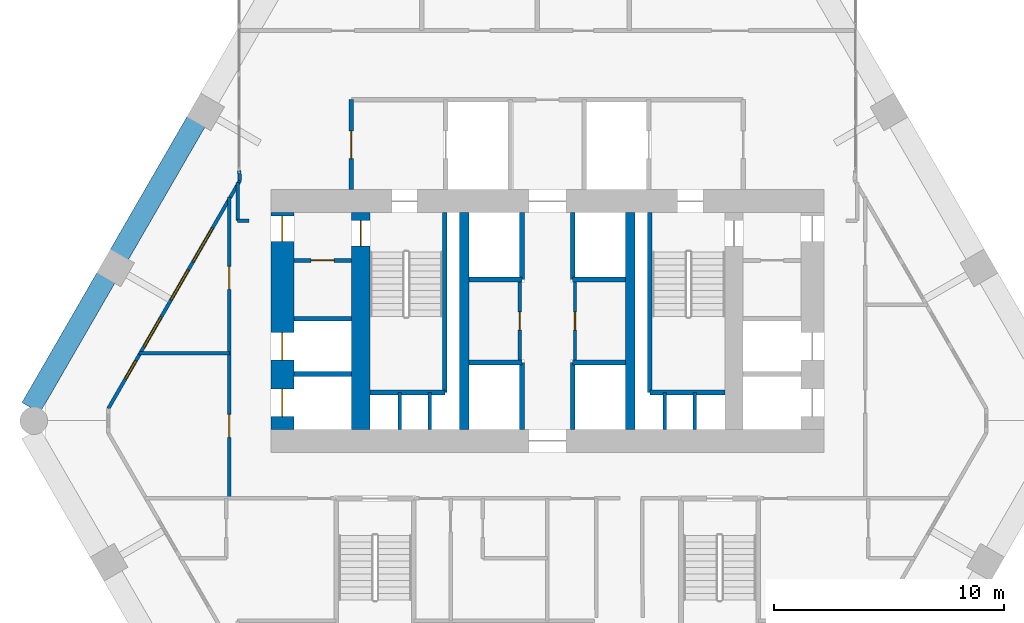
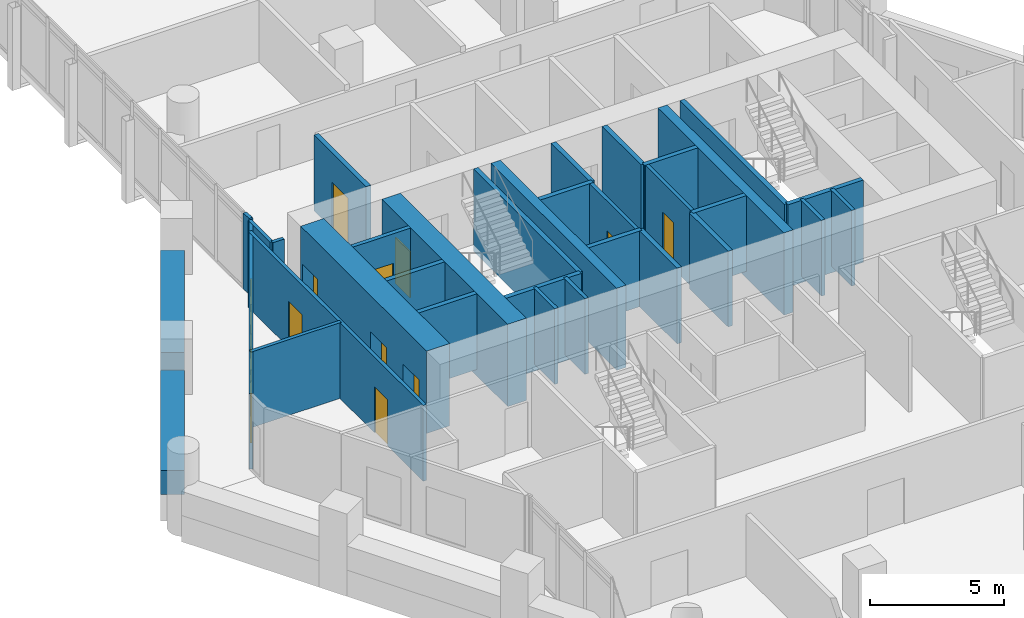
# One storey, part 25 of 28: 34 walls, 10 doors, 4 windows, 14 openings.
"""IFC4 building model written with IfcOpenShell, lengths in metres."""

from ifc_helpers import new_model, si_unit, direction, frame, frame_2d, origin, place, context, subcontext, project, spatial, rectangle, extrude, material, layer, layer_set, type_object, element, fill, save


model = new_model("IFC4")

# Units and contexts
model_context = context("Model", 3, precision=1e-05, world=origin(), true_north=direction((0.0, 1.0)))
body_context = subcontext(model_context, "Body", "Model", "MODEL_VIEW")
ifc_project = project(units=[si_unit("LENGTHUNIT", "METRE"), si_unit("AREAUNIT", "SQUARE_METRE"), si_unit("VOLUMEUNIT", "CUBIC_METRE"), si_unit("PLANEANGLEUNIT", "RADIAN"), si_unit("MASSUNIT", "GRAM", prefix="KILO")], contexts=[model_context])

# Site, building, storey
site_placement = place(None, origin())
site = spatial("IfcSite", under=ifc_project, at=site_placement, CompositionType="ELEMENT")
building_placement = place(site_placement, origin())
building = spatial("IfcBuilding", under=site, at=building_placement, Name="Ostrander Bayou Hotel Tower", CompositionType="ELEMENT")
storey_placement = place(building_placement, frame((0.0, 0.0, 100.5)))
storey = spatial("IfcBuildingStorey", under=building, at=storey_placement, Name="L25", CompositionType="ELEMENT", Elevation=100.5)

# Wall, openings, doors
ifc_material_1 = material(Name="Concrete f'c 70 MPa", Category="concrete")
ifc_layer_1 = layer(ifc_material_1, 1.0)
ifc_layer_set_1 = layer_set([ifc_layer_1], Name="CW4 core wall 1000 mm f'c 70 MPa")
wall_type_1 = type_object("IfcWallType", Name="CW4 core wall 1000 mm f'c 70 MPa", PredefinedType="SHEAR", material=ifc_layer_set_1)
wall_1_placement = place(storey_placement, frame((-11.5, -0.699951171875, -0.300048828125), z_axis=(0.0, 0.0, 1.0), x_axis=(0.0, 1.0, 0.0)))
wall_1 = element("IfcWall", 1, at=wall_1_placement, inside=storey, type_object=wall_type_1, Name="CW4 L25 RW", PredefinedType="SHEAR", context=body_context, shape_type="SweptSolid", body=[
    extrude(rectangle(XDim=9.39990234375, YDim=1.0, at=frame_2d((4.699951171875, 0.0))), origin(), (0.0, 0.0, 1.0), 3.75),
])
opening_1_placement = place(wall_1_placement, frame((8.14990234375, 0.0, 0.0)))
opening_1 = element("IfcOpeningElement", 2, at=opening_1_placement, cuts=wall_1, Name="Opening T25-017", PredefinedType="OPENING", context=body_context, shape_type="SweptSolid", body=[
    extrude(rectangle(XDim=1.10009765625, YDim=2.10009765625, at=frame_2d((0.550048828125, 1.050048828125))), frame((0.0, 0.5, 0.0), z_axis=(0.0, -1.0, 0.0), x_axis=(1.0, 0.0, 0.0)), (0.0, 0.0, 1.0), 1.0),
])
opening_2_placement = place(wall_1_placement, frame((0.550048828125, 0.0, 0.0)))
opening_2 = element("IfcOpeningElement", 3, at=opening_2_placement, cuts=wall_1, Name="Opening T25-018", PredefinedType="OPENING", context=body_context, shape_type="SweptSolid", body=[
    extrude(rectangle(XDim=1.199951171875, YDim=2.10009765625, at=frame_2d((0.60009765625, 1.050048828125))), frame((0.0, 0.5, 0.0), z_axis=(0.0, -1.0, 0.0), x_axis=(1.0, 0.0, 0.0)), (0.0, 0.0, 1.0), 1.0),
])
opening_3_placement = place(wall_1_placement, frame((3.0, 0.0, 0.0)))
opening_3 = element("IfcOpeningElement", 4, at=opening_3_placement, cuts=wall_1, Name="Opening T25-019", PredefinedType="OPENING", context=body_context, shape_type="SweptSolid", body=[
    extrude(rectangle(XDim=1.199951171875, YDim=2.10009765625, at=frame_2d((0.60009765625, 1.050048828125))), frame((0.0, 0.5, 0.0), z_axis=(0.0, -1.0, 0.0), x_axis=(1.0, 0.0, 0.0)), (0.0, 0.0, 1.0), 1.0),
])
ifc_material_2 = material(Name="Timber door leaf", Category="wood")
door_type_1 = type_object("IfcDoorType", Name="D5 stair door 1100 x 2100 mm, 90 minute", OperationType="SINGLE_SWING_LEFT", PredefinedType="DOOR", material=ifc_material_2)
door_1_placement = place(opening_1_placement, origin())
door_1 = element("IfcDoor", 5, at=door_1_placement, inside=storey, type_object=door_type_1, Name="dr:L25:017", OperationType="SINGLE_SWING_LEFT", OverallHeight=2.10009765625, OverallWidth=1.10009765625, PredefinedType="DOOR", context=body_context, shape_type="SweptSolid", body=[
    extrude(rectangle(XDim=1.10009765625, YDim=2.10009765625, at=frame_2d((0.550048828125, 1.050048828125))), frame((0.0, 0.02490234375, 0.0), z_axis=(0.0, -1.0, 0.0), x_axis=(1.0, 0.0, 0.0)), (0.0, 0.0, 1.0), 0.050048828125),
])
fill(opening_1, door_1)
ifc_material_3 = material(Name="Stainless steel sliding door", Category="steel")
door_type_2 = type_object("IfcDoorType", Name="LD1 lift landing door 1200 x 2100 mm", OperationType="SINGLE_SWING_LEFT", PredefinedType="DOOR", material=ifc_material_3)
door_2_placement = place(opening_2_placement, origin())
door_2 = element("IfcDoor", 6, at=door_2_placement, inside=storey, type_object=door_type_2, Name="dr:L25:018", OperationType="SLIDING_TO_LEFT", OverallHeight=2.10009765625, OverallWidth=1.199951171875, PredefinedType="DOOR", context=body_context, shape_type="SweptSolid", body=[
    extrude(rectangle(XDim=1.199951171875, YDim=2.10009765625, at=frame_2d((0.60009765625, 1.050048828125))), frame((0.0, 0.02490234375, 0.0), z_axis=(0.0, -1.0, 0.0), x_axis=(1.0, 0.0, 0.0)), (0.0, 0.0, 1.0), 0.050048828125),
])
fill(opening_2, door_2)
door_3_placement = place(opening_3_placement, origin())
door_3 = element("IfcDoor", 7, at=door_3_placement, inside=storey, type_object=door_type_2, Name="dr:L25:019", OperationType="SLIDING_TO_LEFT", OverallHeight=2.10009765625, OverallWidth=1.199951171875, PredefinedType="DOOR", context=body_context, shape_type="SweptSolid", body=[
    extrude(rectangle(XDim=1.199951171875, YDim=2.10009765625, at=frame_2d((0.60009765625, 1.050048828125))), frame((0.0, 0.02490234375, 0.0), z_axis=(0.0, -1.0, 0.0), x_axis=(1.0, 0.0, 0.0)), (0.0, 0.0, 1.0), 0.050048828125),
])
fill(opening_3, door_3)

# Wall, opening, door
ifc_material_4 = material(Name="Concrete f'c 70 MPa", Category="concrete")
ifc_layer_2 = layer(ifc_material_4, 0.800048828125)
ifc_layer_set_2 = layer_set([ifc_layer_2], Name="CW5 core spine wall 800 mm f'c 70 MPa")
wall_type_2 = type_object("IfcWallType", Name="CW5 core spine wall 800 mm f'c 70 MPa", PredefinedType="SHEAR", material=ifc_layer_set_2)
wall_2_placement = place(storey_placement, frame((-8.10009765625, -0.699951171875, -0.300048828125), z_axis=(0.0, 0.0, 1.0), x_axis=(0.0, 1.0, 0.0)))
wall_2 = element("IfcWall", 8, at=wall_2_placement, inside=storey, type_object=wall_type_2, Name="CW5 L25 W", PredefinedType="SHEAR", context=body_context, shape_type="SweptSolid", body=[
    extrude(rectangle(XDim=9.39990234375, YDim=0.800048828125, at=frame_2d((4.699951171875, 0.0))), origin(), (0.0, 0.0, 1.0), 3.75),
])
opening_4_placement = place(wall_2_placement, frame((7.949951171875, 0.0, 0.0)))
opening_4 = element("IfcOpeningElement", 9, at=opening_4_placement, cuts=wall_2, Name="Opening T25-004", PredefinedType="OPENING", context=body_context, shape_type="SweptSolid", body=[
    extrude(rectangle(XDim=1.10009765625, YDim=2.10009765625, at=frame_2d((0.550048828125, 1.050048828125))), frame((0.0, 0.39990234375, 0.0), z_axis=(0.0, -1.0, 0.0), x_axis=(1.0, 0.0, 0.0)), (0.0, 0.0, 1.0), 0.800048828125),
])
door_4_placement = place(opening_4_placement, origin())
door_4 = element("IfcDoor", 10, at=door_4_placement, inside=storey, type_object=door_type_1, Name="dr:L25:004", OperationType="SINGLE_SWING_RIGHT", OverallHeight=2.10009765625, OverallWidth=1.10009765625, PredefinedType="DOOR", context=body_context, shape_type="SweptSolid", body=[
    extrude(rectangle(XDim=1.10009765625, YDim=2.10009765625, at=frame_2d((0.550048828125, 1.050048828125))), frame((0.0, 0.02490234375, 0.0), z_axis=(0.0, -1.0, 0.0), x_axis=(1.0, 0.0, 0.0)), (0.0, 0.0, 1.0), 0.050048828125),
])
fill(opening_4, door_4)

# Walls
ifc_material_5 = material(Name="Concrete f'c 70 MPa", Category="concrete")
ifc_layer_3 = layer(ifc_material_5, 0.39990234375)
ifc_layer_set_3 = layer_set([ifc_layer_3], Name="CW6 core bank wall 400 mm f'c 70 MPa")
wall_type_3 = type_object("IfcWallType", Name="CW6 core bank wall 400 mm f'c 70 MPa", PredefinedType="SHEAR", material=ifc_layer_set_3)
for number, where, z_axis, x_axis, name in (
    (11, (-3.60009765625, -0.699951171875, -0.300048828125), (0.0, 0.0, 1.0), (0.0, 1.0, 0.0), "CW6 L25 CW"),
    (12, (3.60009765625, -0.699951171875, -0.300048828125), (0.0, 0.0, 1.0), (0.0, 1.0, 0.0), "CW6 L25 CE"),
):
    element("IfcWall", number, at=place(storey_placement, frame(where, z_axis=z_axis, x_axis=x_axis)), inside=storey, type_object=wall_type_3, Name=name, PredefinedType="SHEAR", context=body_context, shape_type="SweptSolid", body=[
        extrude(rectangle(XDim=9.39990234375, YDim=0.39990234375, at=frame_2d((4.699951171875, 0.0))), origin(), (0.0, 0.0, 1.0), 3.75),
    ])

# Wall, openings, windows
ifc_material_6 = material(Name="Aluminium framed insulated wall", Category="aluminium")
ifc_layer_4 = layer(ifc_material_6, 0.14990234375)
ifc_layer_set_4 = layer_set([ifc_layer_4], Name="GW1 glass-line wall 150 mm")
wall_type_4 = type_object("IfcWallType", Name="GW1 glass-line wall 150 mm", PredefinedType="SOLIDWALL", material=ifc_layer_set_4)
wall_3_placement = place(storey_placement, frame((-13.333984375, 10.100341796875, 0.0), z_axis=(0.0, 0.0, 1.0), x_axis=(-0.499990645009, -0.866030804823, 0.0)))
wall_3 = element("IfcWall", 13, at=wall_3_placement, inside=storey, type_object=wall_type_4, Name="GW1 L25 NW 1", PredefinedType="SOLIDWALL", context=body_context, shape_type="SweptSolid", body=[
    extrude(rectangle(XDim=11.426025390625, YDim=0.14990234375, at=frame_2d((5.712890625, 0.0))), origin(), (0.0, 0.0, 1.0), 3.449951171875),
])
opening_5_placement = place(wall_3_placement, frame((2.380126953125, 0.0, 0.14990234375)))
opening_5 = element("IfcOpeningElement", 14, at=opening_5_placement, cuts=wall_3, Name="Opening W8", PredefinedType="OPENING", context=body_context, shape_type="SweptSolid", body=[
    extrude(rectangle(XDim=1.699951171875, YDim=2.199951171875, at=frame_2d((0.85009765625, 1.10009765625))), frame((0.0, 0.074951171875, 0.0), z_axis=(0.0, -1.0, 0.0), x_axis=(1.0, 0.0, 0.0)), (0.0, 0.0, 1.0), 0.14990234375),
])
opening_6_placement = place(wall_3_placement, frame((4.480224609375, 0.0, 0.14990234375)))
opening_6 = element("IfcOpeningElement", 15, at=opening_6_placement, cuts=wall_3, Name="Opening W12", PredefinedType="OPENING", context=body_context, shape_type="SweptSolid", body=[
    extrude(rectangle(XDim=1.5, YDim=2.199951171875, at=frame_2d((0.75, 1.10009765625))), frame((0.0, 0.074951171875, 0.0), z_axis=(0.0, -1.0, 0.0), x_axis=(1.0, 0.0, 0.0)), (0.0, 0.0, 1.0), 0.14990234375),
])
opening_7_placement = place(wall_3_placement, frame((9.03662109375, 0.0, 0.14990234375)))
opening_7 = element("IfcOpeningElement", 16, at=opening_7_placement, cuts=wall_3, Name="Opening W16", PredefinedType="OPENING", context=body_context, shape_type="SweptSolid", body=[
    extrude(rectangle(XDim=0.89990234375, YDim=2.199951171875, at=frame_2d((0.449951171875, 1.10009765625))), frame((0.0, 0.074951171875, 0.0), z_axis=(0.0, -1.0, 0.0), x_axis=(1.0, 0.0, 0.0)), (0.0, 0.0, 1.0), 0.14990234375),
])
opening_8_placement = place(wall_3_placement, frame((6.83642578125, 0.0, 0.14990234375)))
opening_8 = element("IfcOpeningElement", 17, at=opening_8_placement, cuts=wall_3, Name="Opening W12", PredefinedType="OPENING", context=body_context, shape_type="SweptSolid", body=[
    extrude(rectangle(XDim=1.5, YDim=2.199951171875, at=frame_2d((0.75, 1.10009765625))), frame((0.0, 0.074951171875, 0.0), z_axis=(0.0, -1.0, 0.0), x_axis=(1.0, 0.0, 0.0)), (0.0, 0.0, 1.0), 0.14990234375),
])
ifc_material_7 = material(Name="Aluminium and clear glass", Category="aluminium")
window_type_1 = type_object("IfcWindowType", Name="W12 fixed window 1500 mm, bath bay, zone 2", PartitioningType="SINGLE_PANEL", PredefinedType="WINDOW", material=ifc_material_7)
window_1_placement = place(opening_6_placement, origin())
window_1 = element("IfcWindow", 18, at=window_1_placement, inside=storey, type_object=window_type_1, Name="W12 L25 NW 3", OverallHeight=2.199951171875, OverallWidth=1.5, PartitioningType="SINGLE_PANEL", PredefinedType="WINDOW", context=body_context, shape_type="SweptSolid", body=[
    extrude(rectangle(XDim=1.5, YDim=2.199951171875, at=frame_2d((0.75, 1.10009765625))), frame((0.0, 0.030029296875, 0.0), z_axis=(0.0, -1.0, 0.0), x_axis=(1.0, 0.0, 0.0)), (0.0, 0.0, 1.0), 0.06005859375),
])
fill(opening_6, window_1)
window_2_placement = place(opening_8_placement, origin())
window_2 = element("IfcWindow", 19, at=window_2_placement, inside=storey, type_object=window_type_1, Name="W12 L25 NW 4", OverallHeight=2.199951171875, OverallWidth=1.5, PartitioningType="SINGLE_PANEL", PredefinedType="WINDOW", context=body_context, shape_type="SweptSolid", body=[
    extrude(rectangle(XDim=1.5, YDim=2.199951171875, at=frame_2d((0.75, 1.10009765625))), frame((0.0, 0.030029296875, 0.0), z_axis=(0.0, -1.0, 0.0), x_axis=(1.0, 0.0, 0.0)), (0.0, 0.0, 1.0), 0.06005859375),
])
fill(opening_8, window_2)
ifc_material_8 = material(Name="Aluminium and clear glass", Category="aluminium")
window_type_2 = type_object("IfcWindowType", Name="W16 window 900 mm, zone 2", PartitioningType="SINGLE_PANEL", PredefinedType="WINDOW", material=ifc_material_8)
window_3_placement = place(opening_7_placement, origin())
window_3 = element("IfcWindow", 20, at=window_3_placement, inside=storey, type_object=window_type_2, Name="W16 L25 NW 4", OverallHeight=2.199951171875, OverallWidth=0.89990234375, PartitioningType="SINGLE_PANEL", PredefinedType="WINDOW", context=body_context, shape_type="SweptSolid", body=[
    extrude(rectangle(XDim=0.89990234375, YDim=2.199951171875, at=frame_2d((0.449951171875, 1.10009765625))), frame((0.0, 0.030029296875, 0.0), z_axis=(0.0, -1.0, 0.0), x_axis=(1.0, 0.0, 0.0)), (0.0, 0.0, 1.0), 0.06005859375),
])
fill(opening_7, window_3)
ifc_material_9 = material(Name="Aluminium and clear glass", Category="aluminium")
window_type_3 = type_object("IfcWindowType", Name="W8 fixed window 1700 mm, bar storeys, zone 2", PartitioningType="SINGLE_PANEL", PredefinedType="WINDOW", material=ifc_material_9)
window_4_placement = place(opening_5_placement, origin())
window_4 = element("IfcWindow", 21, at=window_4_placement, inside=storey, type_object=window_type_3, Name="W8 L25 NW 3", OverallHeight=2.199951171875, OverallWidth=1.699951171875, PartitioningType="SINGLE_PANEL", PredefinedType="WINDOW", context=body_context, shape_type="SweptSolid", body=[
    extrude(rectangle(XDim=1.699951171875, YDim=2.199951171875, at=frame_2d((0.85009765625, 1.10009765625))), frame((0.0, 0.030029296875, 0.0), z_axis=(0.0, -1.0, 0.0), x_axis=(1.0, 0.0, 0.0)), (0.0, 0.0, 1.0), 0.06005859375),
])
fill(opening_5, window_4)

# Walls
wall_4_placement = place(storey_placement, frame((-13.333984375, 10.100341796875, 0.0), z_axis=(0.0, 0.0, 1.0), x_axis=(-0.078869316502, 0.996884963732, 0.0)))
element("IfcWall", 22, at=wall_4_placement, inside=storey, type_object=wall_type_4, Name="GW1 L25 bar joint 1", PredefinedType="SOLIDWALL", context=body_context, shape_type="SweptSolid", body=[
    extrude(rectangle(XDim=0.4208984375, YDim=0.14990234375, at=frame_2d((0.21044921875, 0.0))), origin(), (0.0, 0.0, 1.0), 3.449951171875),
])
ifc_material_10 = material(Name="Concrete f'c 40 MPa", Category="concrete")
ifc_layer_5 = layer(ifc_material_10, 0.89990234375)
ifc_layer_set_5 = layer_set([ifc_layer_5], Name="PA1 stone-faced parapet 900 mm")
wall_type_5 = type_object("IfcWallType", Name="PA1 stone-faced parapet 900 mm", PredefinedType="PARAPET", material=ifc_layer_set_5)
wall_5_placement = place(storey_placement, frame((-15.23876953125, 12.65087890625, 0.0), z_axis=(0.0, 0.0, 1.0), x_axis=(-0.499999023957, -0.866025967302, 0.0)))
element("IfcWall", 23, at=wall_5_placement, inside=storey, type_object=wall_type_5, Name="PA1 L25 NW-2", PredefinedType="PARAPET", context=body_context, shape_type="SweptSolid", body=[
    extrude(rectangle(XDim=6.67333984375, YDim=0.89990234375, at=frame_2d((3.336669921875, 0.0))), origin(), (0.0, 0.0, 1.0), 1.10009765625),
])
wall_6_placement = place(storey_placement, frame((-19.1455078125, 5.884521484375, 0.0), z_axis=(0.0, 0.0, 1.0), x_axis=(-0.500000042739, -0.866025379109, 0.0)))
element("IfcWall", 24, at=wall_6_placement, inside=storey, type_object=wall_type_5, Name="PA1 L25 NW-3", PredefinedType="PARAPET", context=body_context, shape_type="SweptSolid", body=[
    extrude(rectangle(XDim=6.52197265625, YDim=0.89990234375, at=frame_2d((3.260986328125, 0.0))), origin(), (0.0, 0.0, 1.0), 1.10009765625),
])

# Wall, opening, door
ifc_material_11 = material(Name="Gypsum board partition", Category="finish")
ifc_layer_6 = layer(ifc_material_11, 0.175048828125)
ifc_layer_set_6 = layer_set([ifc_layer_6], Name="PT4 corridor wall 175 mm, 1 hour")
wall_type_6 = type_object("IfcWallType", Name="PT4 corridor wall 175 mm, 1 hour", PredefinedType="PARTITIONING", material=ifc_layer_set_6)
wall_7_placement = place(storey_placement, frame((-11.0, 6.6298828125, 0.0), z_axis=(0.0, 0.0, 1.0), x_axis=(1.0, 0.0, 0.0)))
wall_7 = element("IfcWall", 25, at=wall_7_placement, inside=storey, type_object=wall_type_6, Name="cs:L25:036", PredefinedType="PARTITIONING", context=body_context, shape_type="SweptSolid", body=[
    extrude(rectangle(XDim=2.5, YDim=0.175048828125, at=frame_2d((1.25, 0.0))), origin(), (0.0, 0.0, 1.0), 3.449951171875),
])
opening_9_placement = place(wall_7_placement, frame((0.75, 0.0, 0.0)))
opening_9 = element("IfcOpeningElement", 26, at=opening_9_placement, cuts=wall_7, Name="Opening T25-016", PredefinedType="OPENING", context=body_context, shape_type="SweptSolid", body=[
    extrude(rectangle(XDim=1.0, YDim=2.10009765625, at=frame_2d((0.5, 1.050048828125))), frame((0.0, 0.08740234375, 0.0), z_axis=(0.0, -1.0, 0.0), x_axis=(1.0, 0.0, 0.0)), (0.0, 0.0, 1.0), 0.175048828125),
])
ifc_material_12 = material(Name="Timber door leaf", Category="wood")
door_type_3 = type_object("IfcDoorType", Name="D4 corridor door 1000 x 2100 mm, 1 hour", OperationType="SINGLE_SWING_LEFT", PredefinedType="DOOR", material=ifc_material_12)
door_5_placement = place(opening_9_placement, origin())
door_5 = element("IfcDoor", 27, at=door_5_placement, inside=storey, type_object=door_type_3, Name="dr:L25:016", OperationType="SINGLE_SWING_LEFT", OverallHeight=2.10009765625, OverallWidth=1.0, PredefinedType="DOOR", context=body_context, shape_type="SweptSolid", body=[
    extrude(rectangle(XDim=1.0, YDim=2.10009765625, at=frame_2d((0.5, 1.050048828125))), frame((0.0, 0.02490234375, 0.0), z_axis=(0.0, -1.0, 0.0), x_axis=(1.0, 0.0, 0.0)), (0.0, 0.0, 1.0), 0.050048828125),
])
fill(opening_9, door_5)

ifc_material_13 = material(Name="Masonry block", Category="masonry")
ifc_layer_7 = layer(ifc_material_13, 0.199951171875)
ifc_layer_set_7 = layer_set([ifc_layer_7], Name="PT5 stair enclosure wall 200 mm masonry, 2 hour")
wall_type_7 = type_object("IfcWallType", Name="PT5 stair enclosure wall 200 mm masonry, 2 hour", PredefinedType="PARTITIONING", material=ifc_layer_set_7)
wall_8_placement = place(storey_placement, frame((-8.5, 9.699951171875, 0.0), z_axis=(0.0, 0.0, 1.0), x_axis=(0.0, 1.0, 0.0)))
wall_8 = element("IfcWall", 28, at=wall_8_placement, inside=storey, type_object=wall_type_7, Name="cs:L25:026", PredefinedType="PARTITIONING", context=body_context, shape_type="SweptSolid", body=[
    extrude(rectangle(XDim=3.900146484375, YDim=0.199951171875, at=frame_2d((1.9501953125, 0.0))), origin(), (0.0, 0.0, 1.0), 3.449951171875),
])
opening_10_placement = place(wall_8_placement, frame((1.35009765625, 0.0, 0.0)))
opening_10 = element("IfcOpeningElement", 29, at=opening_10_placement, cuts=wall_8, Name="Opening T25-010", PredefinedType="OPENING", context=body_context, shape_type="SweptSolid", body=[
    extrude(rectangle(XDim=1.199951171875, YDim=2.10009765625, at=frame_2d((0.60009765625, 1.050048828125))), frame((0.0, 0.10009765625, 0.0), z_axis=(0.0, -1.0, 0.0), x_axis=(1.0, 0.0, 0.0)), (0.0, 0.0, 1.0), 0.199951171875),
])
ifc_material_14 = material(Name="Timber door leaf", Category="wood")
door_type_4 = type_object("IfcDoorType", Name="D7 lobby door 1200 x 2100 mm, 1 hour", OperationType="SINGLE_SWING_LEFT", PredefinedType="DOOR", material=ifc_material_14)
door_6_placement = place(opening_10_placement, origin())
door_6 = element("IfcDoor", 30, at=door_6_placement, inside=storey, type_object=door_type_4, Name="dr:L25:010", OperationType="SINGLE_SWING_LEFT", OverallHeight=2.10009765625, OverallWidth=1.199951171875, PredefinedType="DOOR", context=body_context, shape_type="SweptSolid", body=[
    extrude(rectangle(XDim=1.199951171875, YDim=2.10009765625, at=frame_2d((0.60009765625, 1.050048828125))), frame((0.0, 0.02490234375, 0.0), z_axis=(0.0, -1.0, 0.0), x_axis=(1.0, 0.0, 0.0)), (0.0, 0.0, 1.0), 0.050048828125),
])
fill(opening_10, door_6)

# Walls
ifc_material_15 = material(Name="Masonry block", Category="masonry")
ifc_layer_8 = layer(ifc_material_15, 0.199951171875)
ifc_layer_set_8 = layer_set([ifc_layer_8], Name="PT6 lift shaft wall 200 mm masonry, 2 hour")
wall_type_8 = type_object("IfcWallType", Name="PT6 lift shaft wall 200 mm masonry, 2 hour", PredefinedType="PARTITIONING", material=ifc_layer_set_8)
for number, where, z_axis, x_axis, name in (
    (31, (-3.39990234375, 2.199951171875, 0.0), (0.0, 0.0, 1.0), (1.0, 0.0, 0.0), "cs:L25:001"),
    (32, (-3.39990234375, 5.800048828125, 0.0), (0.0, 0.0, 1.0), (1.0, 0.0, 0.0), "cs:L25:002"),
    (33, (1.10009765625, 2.199951171875, 0.0), (0.0, 0.0, 1.0), (1.0, 0.0, 0.0), "cs:L25:003"),
    (34, (1.10009765625, 5.800048828125, 0.0), (0.0, 0.0, 1.0), (1.0, 0.0, 0.0), "cs:L25:004"),
):
    element("IfcWall", number, at=place(storey_placement, frame(where, z_axis=z_axis, x_axis=x_axis)), inside=storey, type_object=wall_type_8, Name=name, PredefinedType="PARTITIONING", context=body_context, shape_type="SweptSolid", body=[
        extrude(rectangle(XDim=2.2998046875, YDim=0.199951171875, at=frame_2d((1.14990234375, 0.0))), origin(), (0.0, 0.0, 1.0), 3.449951171875),
    ])
for number, where, z_axis, x_axis, name in (
    (35, (-1.10009765625, -0.699951171875, 0.0), (0.0, 0.0, 1.0), (0.0, 1.0, 0.0), "cs:L25:005"),
    (36, (1.10009765625, -0.699951171875, 0.0), (0.0, 0.0, 1.0), (0.0, 1.0, 0.0), "cs:L25:006"),
    (37, (-1.10009765625, 5.800048828125, 0.0), (0.0, 0.0, 1.0), (0.0, 1.0, 0.0), "cs:L25:007"),
    (38, (1.10009765625, 5.800048828125, 0.0), (0.0, 0.0, 1.0), (0.0, 1.0, 0.0), "cs:L25:008"),
):
    element("IfcWall", number, at=place(storey_placement, frame(where, z_axis=z_axis, x_axis=x_axis)), inside=storey, type_object=wall_type_8, Name=name, PredefinedType="PARTITIONING", context=body_context, shape_type="SweptSolid", body=[
        extrude(rectangle(XDim=2.89990234375, YDim=0.199951171875, at=frame_2d((1.449951171875, 0.0))), origin(), (0.0, 0.0, 1.0), 3.449951171875),
    ])
for number, where, z_axis, x_axis, name in (
    (39, (-11.0, 1.699951171875, 0.0), (0.0, 0.0, 1.0), (1.0, 0.0, 0.0), "cs:L25:034"),
    (40, (-11.0, 4.10009765625, 0.0), (0.0, 0.0, 1.0), (1.0, 0.0, 0.0), "cs:L25:035"),
):
    element("IfcWall", number, at=place(storey_placement, frame(where, z_axis=z_axis, x_axis=x_axis)), inside=storey, type_object=wall_type_8, Name=name, PredefinedType="PARTITIONING", context=body_context, shape_type="SweptSolid", body=[
        extrude(rectangle(XDim=2.5, YDim=0.199951171875, at=frame_2d((1.25, 0.0))), origin(), (0.0, 0.0, 1.0), 3.449951171875),
    ])
ifc_material_16 = material(Name="Gypsum board partition", Category="finish")
ifc_layer_9 = layer(ifc_material_16, 0.14990234375)
ifc_layer_set_9 = layer_set([ifc_layer_9], Name="PT7 riser wall 150 mm, 2 hour")
wall_type_9 = type_object("IfcWallType", Name="PT7 riser wall 150 mm, 2 hour", PredefinedType="PARTITIONING", material=ifc_layer_set_9)
for number, where, z_axis, x_axis, name in (
    (41, (-6.39990234375, -0.699951171875, 0.0), (0.0, 0.0, 1.0), (0.0, 1.0, 0.0), "cs:L25:011"),
    (42, (-5.10009765625, -0.699951171875, 0.0), (0.0, 0.0, 1.0), (0.0, 1.0, 0.0), "cs:L25:012"),
    (43, (5.10009765625, -0.699951171875, 0.0), (0.0, 0.0, 1.0), (0.0, 1.0, 0.0), "cs:L25:015"),
    (44, (6.39990234375, -0.699951171875, 0.0), (0.0, 0.0, 1.0), (0.0, 1.0, 0.0), "cs:L25:016"),
):
    element("IfcWall", number, at=place(storey_placement, frame(where, z_axis=z_axis, x_axis=x_axis)), inside=storey, type_object=wall_type_9, Name=name, PredefinedType="PARTITIONING", context=body_context, shape_type="SweptSolid", body=[
        extrude(rectangle(XDim=1.599853515625, YDim=0.14990234375, at=frame_2d((0.7998046875, 0.0))), origin(), (0.0, 0.0, 1.0), 3.449951171875),
    ])

# Wall, opening, door
wall_9_placement = place(storey_placement, frame((-1.199951171875, 2.300048828125, 0.0), z_axis=(0.0, 0.0, 1.0), x_axis=(0.0, 1.0, 0.0)))
wall_9 = element("IfcWall", 45, at=wall_9_placement, inside=storey, type_object=wall_type_9, Name="cs:L25:032", PredefinedType="PARTITIONING", context=body_context, shape_type="SweptSolid", body=[
    extrude(rectangle(XDim=3.39990234375, YDim=0.14990234375, at=frame_2d((1.699951171875, 0.0))), origin(), (0.0, 0.0, 1.0), 3.449951171875),
])
opening_11_placement = place(wall_9_placement, frame((1.300048828125, 0.0, 0.0)))
opening_11 = element("IfcOpeningElement", 46, at=opening_11_placement, cuts=wall_9, Name="Opening T25-014", PredefinedType="OPENING", context=body_context, shape_type="SweptSolid", body=[
    extrude(rectangle(XDim=0.800048828125, YDim=2.10009765625, at=frame_2d((0.39990234375, 1.050048828125))), frame((0.0, 0.074951171875, 0.0), z_axis=(0.0, -1.0, 0.0), x_axis=(1.0, 0.0, 0.0)), (0.0, 0.0, 1.0), 0.14990234375),
])
ifc_material_17 = material(Name="Timber door leaf", Category="wood")
door_type_5 = type_object("IfcDoorType", Name="D6 riser door 800 x 2100 mm, 90 minute", OperationType="SINGLE_SWING_LEFT", PredefinedType="DOOR", material=ifc_material_17)
door_7_placement = place(opening_11_placement, origin())
door_7 = element("IfcDoor", 47, at=door_7_placement, inside=storey, type_object=door_type_5, Name="dr:L25:014", OperationType="SINGLE_SWING_LEFT", OverallHeight=2.10009765625, OverallWidth=0.800048828125, PredefinedType="DOOR", context=body_context, shape_type="SweptSolid", body=[
    extrude(rectangle(XDim=0.800048828125, YDim=2.10009765625, at=frame_2d((0.39990234375, 1.050048828125))), frame((0.0, 0.02490234375, 0.0), z_axis=(0.0, -1.0, 0.0), x_axis=(1.0, 0.0, 0.0)), (0.0, 0.0, 1.0), 0.050048828125),
])
fill(opening_11, door_7)

wall_10_placement = place(storey_placement, frame((1.199951171875, 2.300048828125, 0.0), z_axis=(0.0, 0.0, 1.0), x_axis=(0.0, 1.0, 0.0)))
wall_10 = element("IfcWall", 48, at=wall_10_placement, inside=storey, type_object=wall_type_9, Name="cs:L25:033", PredefinedType="PARTITIONING", context=body_context, shape_type="SweptSolid", body=[
    extrude(rectangle(XDim=3.39990234375, YDim=0.14990234375, at=frame_2d((1.699951171875, 0.0))), origin(), (0.0, 0.0, 1.0), 3.449951171875),
])
opening_12_placement = place(wall_10_placement, frame((1.300048828125, 0.0, 0.0)))
opening_12 = element("IfcOpeningElement", 49, at=opening_12_placement, cuts=wall_10, Name="Opening T25-015", PredefinedType="OPENING", context=body_context, shape_type="SweptSolid", body=[
    extrude(rectangle(XDim=0.800048828125, YDim=2.10009765625, at=frame_2d((0.39990234375, 1.050048828125))), frame((0.0, 0.074951171875, 0.0), z_axis=(0.0, -1.0, 0.0), x_axis=(1.0, 0.0, 0.0)), (0.0, 0.0, 1.0), 0.14990234375),
])
door_8_placement = place(opening_12_placement, origin())
door_8 = element("IfcDoor", 50, at=door_8_placement, inside=storey, type_object=door_type_5, Name="dr:L25:015", OperationType="SINGLE_SWING_RIGHT", OverallHeight=2.10009765625, OverallWidth=0.800048828125, PredefinedType="DOOR", context=body_context, shape_type="SweptSolid", body=[
    extrude(rectangle(XDim=0.800048828125, YDim=2.10009765625, at=frame_2d((0.39990234375, 1.050048828125))), frame((0.0, 0.02490234375, 0.0), z_axis=(0.0, -1.0, 0.0), x_axis=(1.0, 0.0, 0.0)), (0.0, 0.0, 1.0), 0.050048828125),
])
fill(opening_12, door_8)

# Walls
ifc_material_18 = material(Name="Gypsum board partition", Category="finish")
ifc_layer_10 = layer(ifc_material_18, 0.14990234375)
ifc_layer_set_10 = layer_set([ifc_layer_10], Name="PT8 service band wall 150 mm, 1 hour")
wall_type_10 = type_object("IfcWallType", Name="PT8 service band wall 150 mm, 1 hour", PredefinedType="PARTITIONING", material=ifc_layer_set_10)
wall_11_placement = place(storey_placement, frame((-17.716064453125, 2.60009765625, 0.0), z_axis=(0.0, 0.0, 1.0), x_axis=(1.0, 0.0, 0.0)))
element("IfcWall", 51, at=wall_11_placement, inside=storey, type_object=wall_type_10, Name="gw:L25:011", PredefinedType="PARTITIONING", context=body_context, shape_type="SweptSolid", body=[
    extrude(rectangle(XDim=3.916015625, YDim=0.14990234375, at=frame_2d((1.9580078125, 0.0))), origin(), (0.0, 0.0, 1.0), 3.449951171875),
])
wall_12_placement = place(storey_placement, frame((-13.43994140625, 8.35498046875, 0.0), z_axis=(0.0, 0.0, 1.0), x_axis=(1.0, 0.0, 0.0)))
element("IfcWall", 52, at=wall_12_placement, inside=storey, type_object=wall_type_10, Name="gw:L25:013", PredefinedType="PARTITIONING", context=body_context, shape_type="SweptSolid", body=[
    extrude(rectangle(XDim=0.489990234375, YDim=0.14990234375, at=frame_2d((0.2451171875, 0.0))), origin(), (0.0, 0.0, 1.0), 3.449951171875),
])
wall_13_placement = place(storey_placement, frame((-13.43994140625, 8.35498046875, 0.0), z_axis=(0.0, 0.0, 1.0), x_axis=(0.0, 1.0, 0.0)))
element("IfcWall", 53, at=wall_13_placement, inside=storey, type_object=wall_type_10, Name="gw:L25:023", PredefinedType="PARTITIONING", context=body_context, shape_type="SweptSolid", body=[
    extrude(rectangle(XDim=1.652099609375, YDim=0.14990234375, at=frame_2d((0.826171875, 0.0))), origin(), (0.0, 0.0, 1.0), 3.449951171875),
])

# Wall, openings, doors
wall_14_placement = place(storey_placement, frame((-13.800048828125, -3.699951171875, 0.0), z_axis=(0.0, 0.0, 1.0), x_axis=(0.0, 1.0, 0.0)))
wall_14 = element("IfcWall", 54, at=wall_14_placement, inside=storey, type_object=wall_type_10, Name="gw:L25:024", PredefinedType="PARTITIONING", context=body_context, shape_type="SweptSolid", body=[
    extrude(rectangle(XDim=13.0830078125, YDim=0.14990234375, at=frame_2d((6.54150390625, 0.0))), origin(), (0.0, 0.0, 1.0), 3.449951171875),
])
opening_13_placement = place(wall_14_placement, frame((2.64990234375, 0.0, 0.0)))
opening_13 = element("IfcOpeningElement", 55, at=opening_13_placement, cuts=wall_14, Name="Opening T25-408", PredefinedType="OPENING", context=body_context, shape_type="SweptSolid", body=[
    extrude(rectangle(XDim=1.0, YDim=2.10009765625, at=frame_2d((0.5, 1.050048828125))), frame((0.0, 0.074951171875, 0.0), z_axis=(0.0, -1.0, 0.0), x_axis=(1.0, 0.0, 0.0)), (0.0, 0.0, 1.0), 0.14990234375),
])
opening_14_placement = place(wall_14_placement, frame((9.070068359375, 0.0, 0.0)))
opening_14 = element("IfcOpeningElement", 56, at=opening_14_placement, cuts=wall_14, Name="Opening T25-409", PredefinedType="OPENING", context=body_context, shape_type="SweptSolid", body=[
    extrude(rectangle(XDim=1.0, YDim=2.10009765625, at=frame_2d((0.5, 1.050048828125))), frame((0.0, 0.074951171875, 0.0), z_axis=(0.0, -1.0, 0.0), x_axis=(1.0, 0.0, 0.0)), (0.0, 0.0, 1.0), 0.14990234375),
])
ifc_material_19 = material(Name="Timber door leaf", Category="wood")
door_type_6 = type_object("IfcDoorType", Name="D15 room door 1000 x 2100 mm", OperationType="SINGLE_SWING_LEFT", PredefinedType="DOOR", material=ifc_material_19)
door_9_placement = place(opening_13_placement, origin())
door_9 = element("IfcDoor", 57, at=door_9_placement, inside=storey, type_object=door_type_6, Name="dr:L25:408", OperationType="SINGLE_SWING_RIGHT", OverallHeight=2.10009765625, OverallWidth=1.0, PredefinedType="DOOR", context=body_context, shape_type="SweptSolid", body=[
    extrude(rectangle(XDim=1.0, YDim=2.10009765625, at=frame_2d((0.5, 1.050048828125))), frame((0.0, 0.02490234375, 0.0), z_axis=(0.0, -1.0, 0.0), x_axis=(1.0, 0.0, 0.0)), (0.0, 0.0, 1.0), 0.050048828125),
])
fill(opening_13, door_9)
ifc_material_20 = material(Name="Timber door leaf", Category="wood")
door_type_7 = type_object("IfcDoorType", Name="D9 service door 1000 x 2100 mm, 30 minute", OperationType="SINGLE_SWING_LEFT", PredefinedType="DOOR", material=ifc_material_20)
door_10_placement = place(opening_14_placement, origin())
door_10 = element("IfcDoor", 58, at=door_10_placement, inside=storey, type_object=door_type_7, Name="dr:L25:409", OperationType="SINGLE_SWING_LEFT", OverallHeight=2.10009765625, OverallWidth=1.0, PredefinedType="DOOR", context=body_context, shape_type="SweptSolid", body=[
    extrude(rectangle(XDim=1.0, YDim=2.10009765625, at=frame_2d((0.5, 1.050048828125))), frame((0.0, 0.02490234375, 0.0), z_axis=(0.0, -1.0, 0.0), x_axis=(1.0, 0.0, 0.0)), (0.0, 0.0, 1.0), 0.050048828125),
])
fill(opening_14, door_10)

# Walls
ifc_material_21 = material(Name="Concrete f'c 45 MPa", Category="concrete")
ifc_layer_11 = layer(ifc_material_21, 0.199951171875)
ifc_layer_set_11 = layer_set([ifc_layer_11], Name="SW5 stair enclosure wall 200 mm f'c 45 MPa")
wall_type_11 = type_object("IfcWallType", Name="SW5 stair enclosure wall 200 mm f'c 45 MPa", PredefinedType="SOLIDWALL", material=ifc_layer_set_11)
wall_15_placement = place(storey_placement, frame((-4.449951171875, 0.89990234375, -0.300048828125), z_axis=(0.0, 0.0, 1.0), x_axis=(0.0, 1.0, 0.0)))
element("IfcWall", 59, at=wall_15_placement, inside=storey, type_object=wall_type_11, Name="cs:L25:009", PredefinedType="SOLIDWALL", context=body_context, shape_type="SweptSolid", body=[
    extrude(rectangle(XDim=7.800048828125, YDim=0.199951171875, at=frame_2d((3.89990234375, 0.0))), origin(), (0.0, 0.0, 1.0), 3.75),
])
wall_16_placement = place(storey_placement, frame((-7.699951171875, 0.89990234375, -0.300048828125), z_axis=(0.0, 0.0, 1.0), x_axis=(1.0, 0.0, 0.0)))
element("IfcWall", 60, at=wall_16_placement, inside=storey, type_object=wall_type_11, Name="cs:L25:010", PredefinedType="SOLIDWALL", context=body_context, shape_type="SweptSolid", body=[
    extrude(rectangle(XDim=3.25, YDim=0.199951171875, at=frame_2d((1.625, 0.0))), origin(), (0.0, 0.0, 1.0), 3.75),
])
wall_17_placement = place(storey_placement, frame((4.449951171875, 0.89990234375, -0.300048828125), z_axis=(0.0, 0.0, 1.0), x_axis=(0.0, 1.0, 0.0)))
element("IfcWall", 61, at=wall_17_placement, inside=storey, type_object=wall_type_11, Name="cs:L25:013", PredefinedType="SOLIDWALL", context=body_context, shape_type="SweptSolid", body=[
    extrude(rectangle(XDim=7.800048828125, YDim=0.199951171875, at=frame_2d((3.89990234375, 0.0))), origin(), (0.0, 0.0, 1.0), 3.75),
])
wall_18_placement = place(storey_placement, frame((4.449951171875, 0.89990234375, -0.300048828125), z_axis=(0.0, 0.0, 1.0), x_axis=(1.0, 0.0, 0.0)))
element("IfcWall", 62, at=wall_18_placement, inside=storey, type_object=wall_type_11, Name="cs:L25:014", PredefinedType="SOLIDWALL", context=body_context, shape_type="SweptSolid", body=[
    extrude(rectangle(XDim=3.25, YDim=0.199951171875, at=frame_2d((1.625, 0.0))), origin(), (0.0, 0.0, 1.0), 3.75),
])

save(model, "model.ifc")
